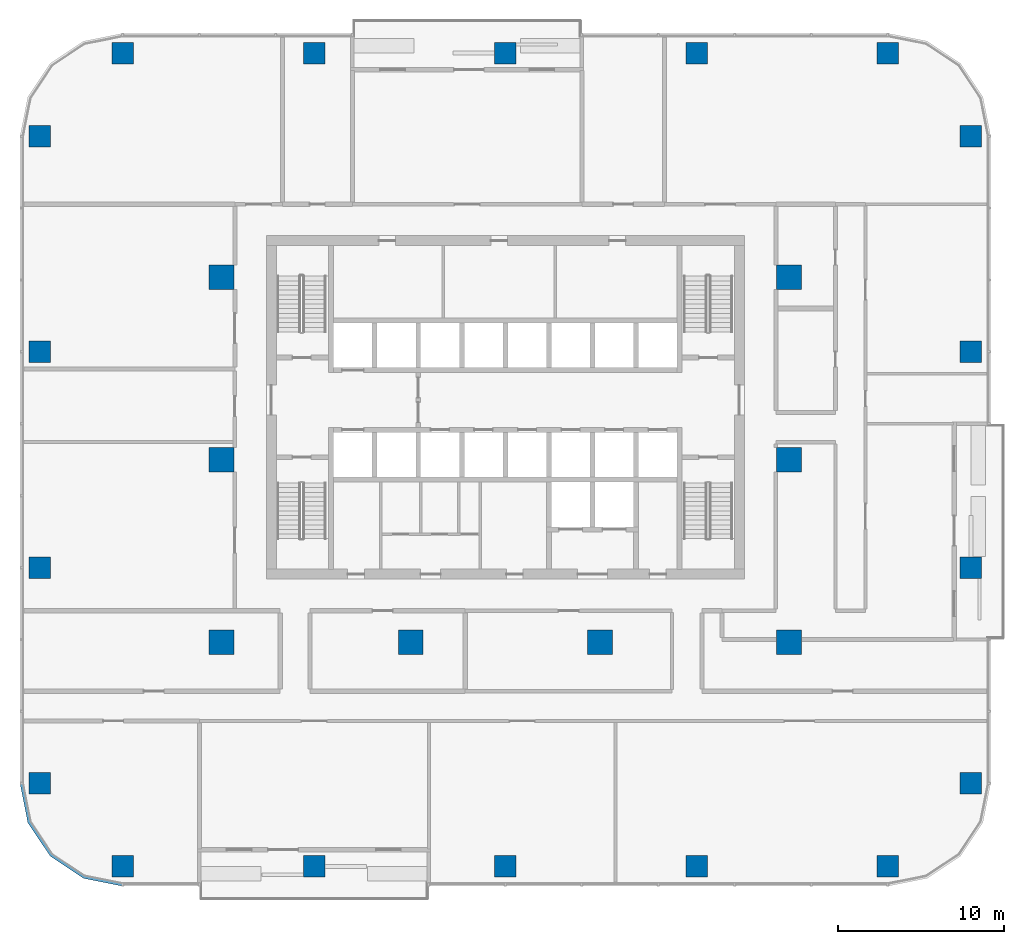
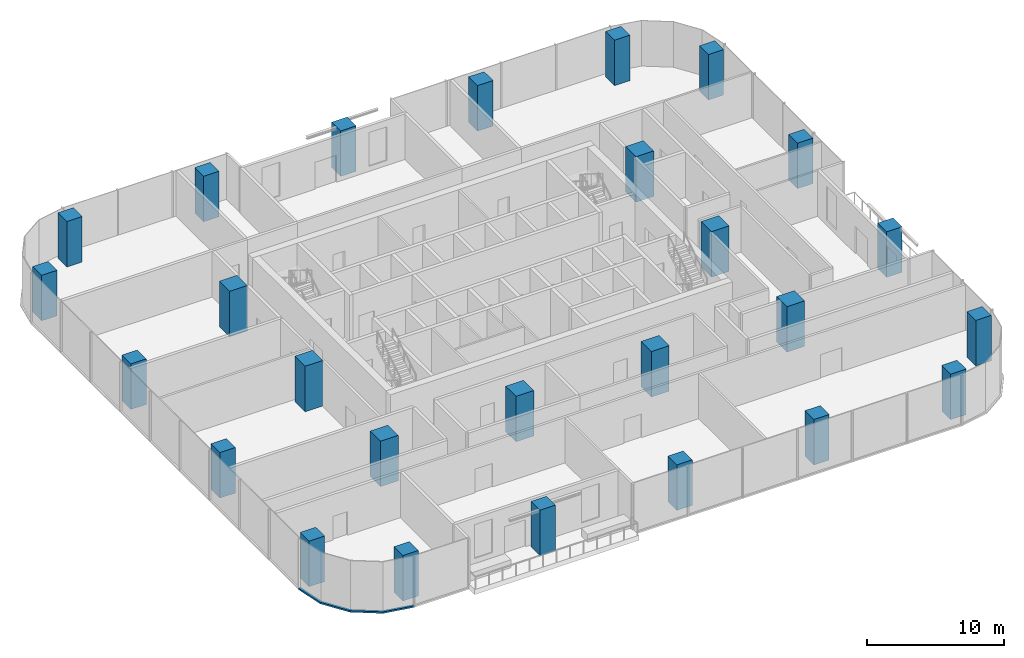
# One storey, part 1 of 14: 26 columns, 1 member, 1 element without a shape of its own.
"""IFC4 building model written with IfcOpenShell, lengths in metres."""

from ifc_helpers import new_model, si_unit, direction, frame, origin, origin_2d, place, context, subcontext, project, spatial, polyline, rectangle, outline, extrude, material, material_profile, profile_set, type_object, element, aggregate, save


model = new_model("IFC4")

# Units and contexts
model_context = context("Model", 3, precision=1e-05, world=origin(), true_north=direction((0.0, 1.0)))
body_context = subcontext(model_context, "Body", "Model", "MODEL_VIEW")
ifc_project = project(units=[si_unit("LENGTHUNIT", "METRE"), si_unit("AREAUNIT", "SQUARE_METRE"), si_unit("VOLUMEUNIT", "CUBIC_METRE"), si_unit("PLANEANGLEUNIT", "RADIAN"), si_unit("MASSUNIT", "GRAM", prefix="KILO")], contexts=[model_context])

# Site, building, storey
site_placement = place(None, origin())
site = spatial("IfcSite", under=ifc_project, at=site_placement, CompositionType="ELEMENT")
building_placement = place(site_placement, origin())
building = spatial("IfcBuilding", under=site, at=building_placement, Name="Mopane Tessera Tower", CompositionType="ELEMENT")
storey_placement = place(building_placement, frame((0.0, 0.0, 139.60009765625)))
storey = spatial("IfcBuildingStorey", under=building, at=storey_placement, Name="L28", CompositionType="ELEMENT", Elevation=139.60009765625)

# Columns
ifc_material_1 = material(Name="Concrete C60/75", Category="concrete")
ifc_material_profile_1 = material_profile(ifc_material_1, rectangle(XDim=1.5, YDim=1.5, at=origin_2d()))
ifc_profile_set_1 = profile_set([ifc_material_profile_1], Name="Concrete C60/75")
column_type_1 = type_object("IfcColumnType", Name="Interior column 1500 x 1500 C60/75", PredefinedType="COLUMN", material=ifc_profile_set_1)
for number, where, z_axis, x_axis, name in (
    (1, (-17.10009765625, -11.0, 0.0), (0.0, 0.0, 1.0), (1.0, 0.0, 0.0), "Interior column I1A L28"),
    (2, (-17.10009765625, 0.0, 0.0), (0.0, 0.0, 1.0), (1.0, 0.0, 0.0), "Interior column I1B L28"),
    (3, (-17.10009765625, 11.0, 0.0), (0.0, 0.0, 1.0), (1.0, 0.0, 0.0), "Interior column I1C L28"),
    (4, (-5.699951171875, -11.0, 0.0), (0.0, 0.0, 1.0), (1.0, 0.0, 0.0), "Interior column I2A L28"),
    (5, (5.699951171875, -11.0, 0.0), (0.0, 0.0, 1.0), (1.0, 0.0, 0.0), "Interior column I3A L28"),
    (6, (17.10009765625, -11.0, 0.0), (0.0, 0.0, 1.0), (1.0, 0.0, 0.0), "Interior column I4A L28"),
    (7, (17.10009765625, 0.0, 0.0), (0.0, 0.0, 1.0), (1.0, 0.0, 0.0), "Interior column I4B L28"),
    (8, (17.10009765625, 11.0, 0.0), (0.0, 0.0, 1.0), (1.0, 0.0, 0.0), "Interior column I4C L28"),
):
    element("IfcColumn", number, at=place(storey_placement, frame(where, z_axis=z_axis, x_axis=x_axis)), inside=storey, type_object=column_type_1, Name=name, PredefinedType="COLUMN", context=body_context, shape_type="SweptSolid", body=[
        extrude(rectangle(XDim=1.5, YDim=1.5, at=origin_2d()), origin(), (0.0, 0.0, 1.0), 4.0498046875),
    ])
ifc_material_2 = material(Name="Concrete C60/75", Category="concrete")
ifc_material_profile_2 = material_profile(ifc_material_2, rectangle(XDim=1.300048828125, YDim=1.300048828125, at=origin_2d()))
ifc_profile_set_2 = profile_set([ifc_material_profile_2], Name="Concrete C60/75")
column_type_2 = type_object("IfcColumnType", Name="Ring column 1300 x 1300 C60/75", PredefinedType="COLUMN", material=ifc_profile_set_2)
for number, where, z_axis, x_axis, name in (
    (9, (-23.050048828125, -24.5, 0.0), (0.0, 0.0, 1.0), (1.0, 0.0, 0.0), "Ring column S0 L28"),
    (10, (-11.52490234375, -24.5, 0.0), (0.0, 0.0, 1.0), (1.0, 0.0, 0.0), "Ring column S1 L28"),
    (11, (0.0, -24.5, 0.0), (0.0, 0.0, 1.0), (1.0, 0.0, 0.0), "Ring column S2 L28"),
    (12, (11.52490234375, -24.5, 0.0), (0.0, 0.0, 1.0), (1.0, 0.0, 0.0), "Ring column S3 L28"),
    (13, (23.050048828125, -24.5, 0.0), (0.0, 0.0, 1.0), (1.0, 0.0, 0.0), "Ring column S4 L28"),
    (14, (28.050048828125, -19.5, 0.0), (0.0, 0.0, 1.0), (1.0, 0.0, 0.0), "Ring column E0 L28"),
    (15, (28.050048828125, -6.5, 0.0), (0.0, 0.0, 1.0), (1.0, 0.0, 0.0), "Ring column E1 L28"),
    (16, (28.050048828125, 6.5, 0.0), (0.0, 0.0, 1.0), (1.0, 0.0, 0.0), "Ring column E2 L28"),
    (17, (28.050048828125, 19.5, 0.0), (0.0, 0.0, 1.0), (1.0, 0.0, 0.0), "Ring column E3 L28"),
    (18, (23.050048828125, 24.5, 0.0), (0.0, 0.0, 1.0), (1.0, 0.0, 0.0), "Ring column N0 L28"),
    (19, (11.52490234375, 24.5, 0.0), (0.0, 0.0, 1.0), (1.0, 0.0, 0.0), "Ring column N1 L28"),
    (20, (0.0, 24.5, 0.0), (0.0, 0.0, 1.0), (1.0, 0.0, 0.0), "Ring column N2 L28"),
    (21, (-11.52490234375, 24.5, 0.0), (0.0, 0.0, 1.0), (1.0, 0.0, 0.0), "Ring column N3 L28"),
    (22, (-23.050048828125, 24.5, 0.0), (0.0, 0.0, 1.0), (1.0, 0.0, 0.0), "Ring column N4 L28"),
    (23, (-28.050048828125, 19.5, 0.0), (0.0, 0.0, 1.0), (1.0, 0.0, 0.0), "Ring column W0 L28"),
    (24, (-28.050048828125, 6.5, 0.0), (0.0, 0.0, 1.0), (1.0, 0.0, 0.0), "Ring column W1 L28"),
    (25, (-28.050048828125, -6.5, 0.0), (0.0, 0.0, 1.0), (1.0, 0.0, 0.0), "Ring column W2 L28"),
    (26, (-28.050048828125, -19.5, 0.0), (0.0, 0.0, 1.0), (1.0, 0.0, 0.0), "Ring column W3 L28"),
):
    element("IfcColumn", number, at=place(storey_placement, frame(where, z_axis=z_axis, x_axis=x_axis)), inside=storey, type_object=column_type_2, Name=name, PredefinedType="COLUMN", context=body_context, shape_type="SweptSolid", body=[
        extrude(rectangle(XDim=1.300048828125, YDim=1.300048828125, at=origin_2d()), origin(), (0.0, 0.0, 1.0), 4.0498046875),
    ])

# Curtain wall, member
ifc_material_3 = material(Name="Aluminium frame", Category="aluminium")
curtain_wall_type = type_object("IfcCurtainWallType", Name="Lower tower unitised wall", PredefinedType="NOTDEFINED", material=ifc_material_3)
curtain_wall_placement = place(storey_placement, origin())
curtain_wall = element("IfcCurtainWall", 27, at=curtain_wall_placement, inside=storey, type_object=curtain_wall_type, Name="e:cw:L28:CW", PredefinedType="NOTDEFINED")
ifc_material_4 = material(Name="Aluminium frame", Category="aluminium")
ifc_material_profile_3 = material_profile(ifc_material_4, rectangle(XDim=0.199951171875, YDim=0.139892578125, at=origin_2d()))
ifc_profile_set_3 = profile_set([ifc_material_profile_3], Name="Aluminium frame")
member_type = type_object("IfcMemberType", Name="Aluminium transom 200 x 140", PredefinedType="USERDEFINED", material=ifc_profile_set_3)
member_placement = place(storey_placement, frame((0.0, 0.0, -0.4501953125)))
member = element("IfcMember", 28, at=member_placement, type_object=member_type, Name="e:cw:L28:CW:tr", ObjectType="TRANSOM", PredefinedType="USERDEFINED", context=body_context, shape_type="SweptSolid", body=[
    extrude(outline(polyline([(-29.050048828125, -19.5), (-28.59326171875, -21.796142578125), (-27.292724609375, -23.74267578125), (-25.34619140625, -25.043212890625), (-23.050048828125, -25.5), (-23.050048828125, -25.699951171875), (-25.422607421875, -25.22802734375), (-27.43408203125, -23.884033203125), (-28.778076171875, -21.87255859375), (-29.25, -19.5), (-29.050048828125, -19.5)])), origin(), (0.0, 0.0, 1.0), 0.14013671875),
])
aggregate(curtain_wall, [member])

save(model, "model.ifc")
